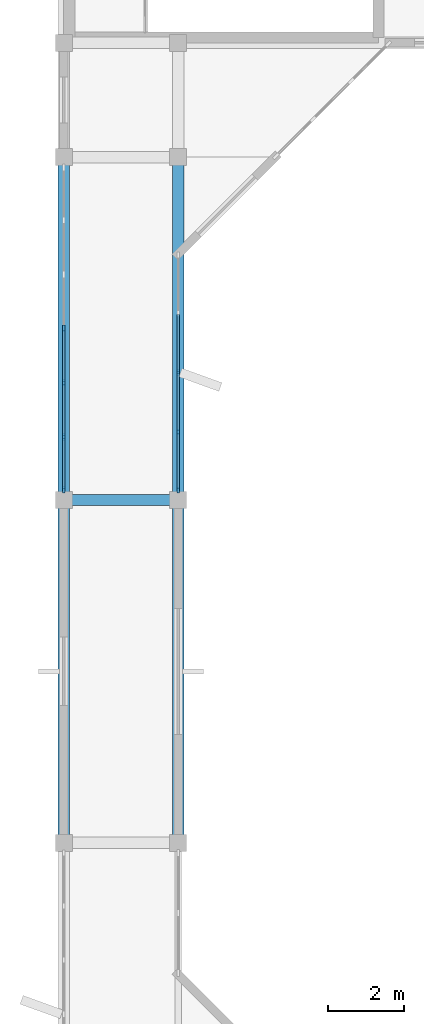
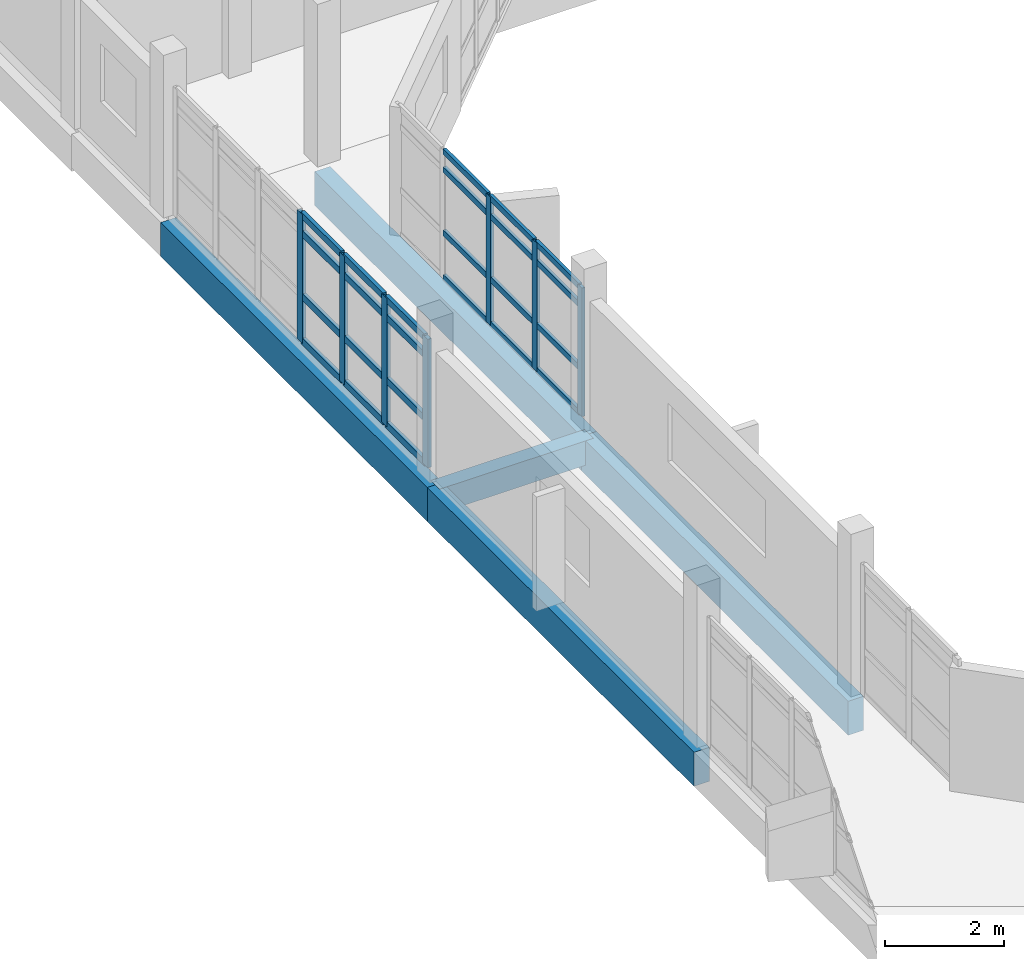
# One storey, part 4 of 33: 31 members, 5 beams, 2 elements without a shape of their own.
"""IFC4 building model written with IfcOpenShell, lengths in metres."""

from ifc_helpers import new_model, si_unit, direction, frame, origin, origin_2d, place, context, subcontext, project, spatial, rectangle, extrude, material, material_profile, profile_set, type_object, element, aggregate, save


model = new_model("IFC4")

# Units and contexts
model_context = context("Model", 3, precision=1e-05, world=origin(), true_north=direction((0.0, 1.0)))
body_context = subcontext(model_context, "Body", "Model", "MODEL_VIEW")
ifc_project = project(units=[si_unit("LENGTHUNIT", "METRE"), si_unit("AREAUNIT", "SQUARE_METRE"), si_unit("VOLUMEUNIT", "CUBIC_METRE"), si_unit("PLANEANGLEUNIT", "RADIAN"), si_unit("MASSUNIT", "GRAM", prefix="KILO")], contexts=[model_context])

# Site, building, storey
site_placement = place(None, origin())
site = spatial("IfcSite", under=ifc_project, at=site_placement, CompositionType="ELEMENT")
building_placement = place(site_placement, origin())
building = spatial("IfcBuilding", under=site, at=building_placement, Name="Vanh Quang Courtyard School", CompositionType="ELEMENT")
storey_placement = place(building_placement, frame((0.0, 0.0, 18.60009765625)))
storey = spatial("IfcBuildingStorey", under=building, at=storey_placement, Name="L05", CompositionType="ELEMENT", Elevation=18.60009765625)

# Beams
ifc_material_1 = material(Name="Concrete C35/45", Category="concrete")
ifc_material_profile_1 = material_profile(ifc_material_1, rectangle(XDim=0.300048828125, YDim=0.5, at=origin_2d()), Name="RC-BM 300x500")
ifc_profile_set_1 = profile_set([ifc_material_profile_1], Name="Concrete C35/45")
beam_type_1 = type_object("IfcBeamType", Name="BM-RC-300x500", PredefinedType="BEAM", material=ifc_profile_set_1)
beam_placement = place(storey_placement, frame((37.800048828125, 59.39990234375, -0.5), z_axis=(1.0, 0.0, 0.0), x_axis=(0.0, 1.0, 0.0)))
element("IfcBeam", 1, at=beam_placement, inside=storey, type_object=beam_type_1, Name="Beam B-08 (L05)", PredefinedType="BEAM", context=body_context, shape_type="SweptSolid", body=[
    extrude(rectangle(XDim=0.300048828125, YDim=0.5, at=origin_2d()), origin(), (0.0, 0.0, 1.0), 3.0),
])
ifc_material_profile_2 = material_profile(ifc_material_1, rectangle(XDim=0.300048828125, YDim=0.699951171875, at=origin_2d()), Name="RC-SP 300x700")
ifc_profile_set_2 = profile_set([ifc_material_profile_2], Name="Concrete C35/45")
beam_type_2 = type_object("IfcBeamType", Name="BM-SP-300x700", PredefinedType="SPANDREL", material=ifc_profile_set_2)
for number, where, z_axis, x_axis, name in (
    (2, (37.800048828125, 50.39990234375, -0.60009765625), (0.0, 1.0, 0.0), (-1.0, 0.0, 0.0), "Beam BS-01 (L05)"),
    (3, (37.800048828125, 59.39990234375, -0.60009765625), (0.0, 1.0, 0.0), (-1.0, 0.0, 0.0), "Beam BS-01 (L05)"),
    (4, (40.800048828125, 50.39990234375, -0.60009765625), (0.0, 1.0, 0.0), (-1.0, 0.0, 0.0), "Beam BS-01 (L05)"),
    (5, (40.800048828125, 59.39990234375, -0.60009765625), (0.0, 1.0, 0.0), (-1.0, 0.0, 0.0), "Beam BS-01 (L05)"),
):
    element("IfcBeam", number, at=place(storey_placement, frame(where, z_axis=z_axis, x_axis=x_axis)), inside=storey, type_object=beam_type_2, Name=name, PredefinedType="SPANDREL", context=body_context, shape_type="SweptSolid", body=[
        extrude(rectangle(XDim=0.300048828125, YDim=0.699951171875, at=origin_2d()), origin(), (0.0, 0.0, 1.0), 9.0),
    ])

# Curtain wall, members
ifc_material_2 = material(Name="Thermally broken aluminium unitised curtain wall", Category="aluminium")
curtain_wall_type_1 = type_object("IfcCurtainWallType", Name="CW-SYS-44", PredefinedType="NOTDEFINED", material=ifc_material_2)
curtain_wall_1_placement = place(storey_placement, origin())
curtain_wall_1 = element("IfcCurtainWall", 6, at=curtain_wall_1_placement, inside=storey, type_object=curtain_wall_type_1, Name="Curtain Wall CW-44 (L05)", PredefinedType="NOTDEFINED")
ifc_material_3 = material(Name="Anodised aluminium 6063-T6", Category="aluminium")
ifc_material_profile_3 = material_profile(ifc_material_3, rectangle(XDim=0.06005859375, YDim=0.159912109375, at=origin_2d()), Name="ALU-MUL 60x160")
ifc_profile_set_3 = profile_set([ifc_material_profile_3], Name="Anodised aluminium 6063-T6")
member_type_1 = type_object("IfcMemberType", Name="CW-MUL-60x160", PredefinedType="MULLION", material=ifc_profile_set_3)
member_1_placement = place(storey_placement, frame((40.800048828125, 62.744384765625, 0.0), z_axis=(0.0, 0.0, 1.0), x_axis=(1.0, 0.0, 0.0)))
member_1 = element("IfcMember", 7, at=member_1_placement, type_object=member_type_1, Name="CW-44 mullion 3", PredefinedType="MULLION", context=body_context, shape_type="SweptSolid", body=[
    extrude(rectangle(XDim=0.06005859375, YDim=0.159912109375, at=origin_2d()), origin(), (0.0, 0.0, 1.0), 2.64990234375),
])
member_2_placement = place(storey_placement, frame((40.800048828125, 61.188720703125, 0.0), z_axis=(0.0, 0.0, 1.0), x_axis=(1.0, 0.0, 0.0)))
member_2 = element("IfcMember", 8, at=member_2_placement, type_object=member_type_1, Name="CW-44 mullion 4", PredefinedType="MULLION", context=body_context, shape_type="SweptSolid", body=[
    extrude(rectangle(XDim=0.06005859375, YDim=0.159912109375, at=origin_2d()), origin(), (0.0, 0.0, 1.0), 2.64990234375),
])
member_3_placement = place(storey_placement, frame((40.800048828125, 59.6630859375, 0.0), z_axis=(0.0, 0.0, 1.0), x_axis=(1.0, 0.0, 0.0)))
member_3 = element("IfcMember", 9, at=member_3_placement, type_object=member_type_1, Name="CW-44 mullion 5", PredefinedType="MULLION", context=body_context, shape_type="SweptSolid", body=[
    extrude(rectangle(XDim=0.06005859375, YDim=0.159912109375, at=origin_2d()), origin(), (0.0, 0.0, 1.0), 2.64990234375),
])

curtain_wall_type_2 = type_object("IfcCurtainWallType", Name="CW-SYS-50", PredefinedType="NOTDEFINED", material=ifc_material_2)
curtain_wall_2_placement = place(storey_placement, origin())
curtain_wall_2 = element("IfcCurtainWall", 10, at=curtain_wall_2_placement, inside=storey, type_object=curtain_wall_type_2, Name="Curtain Wall CW-50 (L05)", PredefinedType="NOTDEFINED")
ifc_material_profile_4 = material_profile(ifc_material_3, rectangle(XDim=0.070068359375, YDim=0.179931640625, at=origin_2d()), Name="ALU-MUL 70x180")
ifc_profile_set_4 = profile_set([ifc_material_profile_4], Name="Anodised aluminium 6063-T6")
member_type_2 = type_object("IfcMemberType", Name="CW-MUL-70x180", PredefinedType="MULLION", material=ifc_profile_set_4)
member_4_placement = place(storey_placement, frame((37.800048828125, 59.66796875, 0.0), z_axis=(0.0, 0.0, 1.0), x_axis=(-1.0, 0.0, 0.0)))
member_4 = element("IfcMember", 11, at=member_4_placement, type_object=member_type_2, Name="CW-50 mullion 1", PredefinedType="MULLION", context=body_context, shape_type="SweptSolid", body=[
    extrude(rectangle(XDim=0.070068359375, YDim=0.179931640625, at=origin_2d()), origin(), (0.0, 0.0, 1.0), 2.64990234375),
])
member_5_placement = place(storey_placement, frame((37.800048828125, 61.055419921875, 0.0), z_axis=(0.0, 0.0, 1.0), x_axis=(-1.0, 0.0, 0.0)))
member_5 = element("IfcMember", 12, at=member_5_placement, type_object=member_type_2, Name="CW-50 mullion 2", PredefinedType="MULLION", context=body_context, shape_type="SweptSolid", body=[
    extrude(rectangle(XDim=0.070068359375, YDim=0.179931640625, at=origin_2d()), origin(), (0.0, 0.0, 1.0), 2.64990234375),
])
member_6_placement = place(storey_placement, frame((37.800048828125, 62.477783203125, 0.0), z_axis=(0.0, 0.0, 1.0), x_axis=(-1.0, 0.0, 0.0)))
member_6 = element("IfcMember", 13, at=member_6_placement, type_object=member_type_2, Name="CW-50 mullion 3", PredefinedType="MULLION", context=body_context, shape_type="SweptSolid", body=[
    extrude(rectangle(XDim=0.070068359375, YDim=0.179931640625, at=origin_2d()), origin(), (0.0, 0.0, 1.0), 2.64990234375),
])
member_7_placement = place(storey_placement, frame((37.800048828125, 63.89990234375, 0.0), z_axis=(0.0, 0.0, 1.0), x_axis=(-1.0, 0.0, 0.0)))
member_7 = element("IfcMember", 14, at=member_7_placement, type_object=member_type_2, Name="CW-50 mullion 4", PredefinedType="MULLION", context=body_context, shape_type="SweptSolid", body=[
    extrude(rectangle(XDim=0.070068359375, YDim=0.179931640625, at=origin_2d()), origin(), (0.0, 0.0, 1.0), 2.64990234375),
])

# Member
ifc_material_profile_5 = material_profile(ifc_material_3, rectangle(XDim=0.06005859375, YDim=0.1201171875, at=origin_2d()), Name="ALU-TRN 60x120")
ifc_profile_set_5 = profile_set([ifc_material_profile_5], Name="Anodised aluminium 6063-T6")
member_type_3 = type_object("IfcMemberType", Name="CW-TRN-60x120", PredefinedType="USERDEFINED", material=ifc_profile_set_5)
member_8_placement = place(storey_placement, frame((40.800048828125, 64.270263671875, 0.02978515625), z_axis=(0.0, -1.0, 0.0), x_axis=(1.0, 0.0, 0.0)))
member_8 = element("IfcMember", 15, at=member_8_placement, type_object=member_type_3, Name="CW-44 transom 2.1", ObjectType="TRANSOM", PredefinedType="USERDEFINED", context=body_context, shape_type="SweptSolid", body=[
    extrude(rectangle(XDim=0.06005859375, YDim=0.1201171875, at=origin_2d()), origin(), (0.0, 0.0, 1.0), 1.495849609375),
])

member_9_placement = place(storey_placement, frame((40.800048828125, 64.270263671875, 0.949951171875), z_axis=(0.0, -1.0, 0.0), x_axis=(1.0, 0.0, 0.0)))
member_9 = element("IfcMember", 16, at=member_9_placement, type_object=member_type_3, Name="CW-44 transom 2.2", ObjectType="TRANSOM", PredefinedType="USERDEFINED", context=body_context, shape_type="SweptSolid", body=[
    extrude(rectangle(XDim=0.06005859375, YDim=0.1201171875, at=origin_2d()), origin(), (0.0, 0.0, 1.0), 1.495849609375),
])

member_10_placement = place(storey_placement, frame((40.800048828125, 64.270263671875, 2.25), z_axis=(0.0, -1.0, 0.0), x_axis=(1.0, 0.0, 0.0)))
member_10 = element("IfcMember", 17, at=member_10_placement, type_object=member_type_3, Name="CW-44 transom 2.3", ObjectType="TRANSOM", PredefinedType="USERDEFINED", context=body_context, shape_type="SweptSolid", body=[
    extrude(rectangle(XDim=0.06005859375, YDim=0.1201171875, at=origin_2d()), origin(), (0.0, 0.0, 1.0), 1.495849609375),
])

member_11_placement = place(storey_placement, frame((40.800048828125, 64.270263671875, 2.619873046875), z_axis=(0.0, -1.0, 0.0), x_axis=(1.0, 0.0, 0.0)))
member_11 = element("IfcMember", 18, at=member_11_placement, type_object=member_type_3, Name="CW-44 transom 2.4", ObjectType="TRANSOM", PredefinedType="USERDEFINED", context=body_context, shape_type="SweptSolid", body=[
    extrude(rectangle(XDim=0.06005859375, YDim=0.1201171875, at=origin_2d()), origin(), (0.0, 0.0, 1.0), 1.495849609375),
])

member_12_placement = place(storey_placement, frame((40.800048828125, 62.714599609375, 0.02978515625), z_axis=(0.0, -1.0, 0.0), x_axis=(1.0, 0.0, 0.0)))
member_12 = element("IfcMember", 19, at=member_12_placement, type_object=member_type_3, Name="CW-44 transom 3.1", ObjectType="TRANSOM", PredefinedType="USERDEFINED", context=body_context, shape_type="SweptSolid", body=[
    extrude(rectangle(XDim=0.06005859375, YDim=0.1201171875, at=origin_2d()), origin(), (0.0, 0.0, 1.0), 1.495849609375),
])

member_13_placement = place(storey_placement, frame((40.800048828125, 62.714599609375, 0.949951171875), z_axis=(0.0, -1.0, 0.0), x_axis=(1.0, 0.0, 0.0)))
member_13 = element("IfcMember", 20, at=member_13_placement, type_object=member_type_3, Name="CW-44 transom 3.2", ObjectType="TRANSOM", PredefinedType="USERDEFINED", context=body_context, shape_type="SweptSolid", body=[
    extrude(rectangle(XDim=0.06005859375, YDim=0.1201171875, at=origin_2d()), origin(), (0.0, 0.0, 1.0), 1.495849609375),
])

member_14_placement = place(storey_placement, frame((40.800048828125, 62.714599609375, 2.25), z_axis=(0.0, -1.0, 0.0), x_axis=(1.0, 0.0, 0.0)))
member_14 = element("IfcMember", 21, at=member_14_placement, type_object=member_type_3, Name="CW-44 transom 3.3", ObjectType="TRANSOM", PredefinedType="USERDEFINED", context=body_context, shape_type="SweptSolid", body=[
    extrude(rectangle(XDim=0.06005859375, YDim=0.1201171875, at=origin_2d()), origin(), (0.0, 0.0, 1.0), 1.495849609375),
])

member_15_placement = place(storey_placement, frame((40.800048828125, 62.714599609375, 2.619873046875), z_axis=(0.0, -1.0, 0.0), x_axis=(1.0, 0.0, 0.0)))
member_15 = element("IfcMember", 22, at=member_15_placement, type_object=member_type_3, Name="CW-44 transom 3.4", ObjectType="TRANSOM", PredefinedType="USERDEFINED", context=body_context, shape_type="SweptSolid", body=[
    extrude(rectangle(XDim=0.06005859375, YDim=0.1201171875, at=origin_2d()), origin(), (0.0, 0.0, 1.0), 1.495849609375),
])

member_16_placement = place(storey_placement, frame((40.800048828125, 61.15869140625, 0.02978515625), z_axis=(0.0, -1.0, 0.0), x_axis=(1.0, 0.0, 0.0)))
member_16 = element("IfcMember", 23, at=member_16_placement, type_object=member_type_3, Name="CW-44 transom 4.1", ObjectType="TRANSOM", PredefinedType="USERDEFINED", context=body_context, shape_type="SweptSolid", body=[
    extrude(rectangle(XDim=0.06005859375, YDim=0.1201171875, at=origin_2d()), origin(), (0.0, 0.0, 1.0), 1.465576171875),
])

member_17_placement = place(storey_placement, frame((40.800048828125, 61.15869140625, 0.949951171875), z_axis=(0.0, -1.0, 0.0), x_axis=(1.0, 0.0, 0.0)))
member_17 = element("IfcMember", 24, at=member_17_placement, type_object=member_type_3, Name="CW-44 transom 4.2", ObjectType="TRANSOM", PredefinedType="USERDEFINED", context=body_context, shape_type="SweptSolid", body=[
    extrude(rectangle(XDim=0.06005859375, YDim=0.1201171875, at=origin_2d()), origin(), (0.0, 0.0, 1.0), 1.465576171875),
])

member_18_placement = place(storey_placement, frame((40.800048828125, 61.15869140625, 2.25), z_axis=(0.0, -1.0, 0.0), x_axis=(1.0, 0.0, 0.0)))
member_18 = element("IfcMember", 25, at=member_18_placement, type_object=member_type_3, Name="CW-44 transom 4.3", ObjectType="TRANSOM", PredefinedType="USERDEFINED", context=body_context, shape_type="SweptSolid", body=[
    extrude(rectangle(XDim=0.06005859375, YDim=0.1201171875, at=origin_2d()), origin(), (0.0, 0.0, 1.0), 1.465576171875),
])

member_19_placement = place(storey_placement, frame((40.800048828125, 61.15869140625, 2.619873046875), z_axis=(0.0, -1.0, 0.0), x_axis=(1.0, 0.0, 0.0)))
member_19 = element("IfcMember", 26, at=member_19_placement, type_object=member_type_3, Name="CW-44 transom 4.4", ObjectType="TRANSOM", PredefinedType="USERDEFINED", context=body_context, shape_type="SweptSolid", body=[
    extrude(rectangle(XDim=0.06005859375, YDim=0.1201171875, at=origin_2d()), origin(), (0.0, 0.0, 1.0), 1.465576171875),
])

aggregate(curtain_wall_1, [member_1, member_2, member_3, member_8, member_9, member_10, member_11, member_12, member_13, member_14, member_15, member_16, member_17, member_18, member_19])

ifc_material_profile_6 = material_profile(ifc_material_3, rectangle(XDim=0.070068359375, YDim=0.139892578125, at=origin_2d()), Name="ALU-TRN 70x140")
ifc_profile_set_6 = profile_set([ifc_material_profile_6], Name="Anodised aluminium 6063-T6")
member_type_4 = type_object("IfcMemberType", Name="CW-TRN-70x140", PredefinedType="USERDEFINED", material=ifc_profile_set_6)
member_20_placement = place(storey_placement, frame((37.800048828125, 59.702880859375, 0.034912109375), z_axis=(0.0, 1.0, 0.0), x_axis=(-1.0, 0.0, 0.0)))
member_20 = element("IfcMember", 27, at=member_20_placement, type_object=member_type_4, Name="CW-50 transom 1.1", ObjectType="TRANSOM", PredefinedType="USERDEFINED", context=body_context, shape_type="SweptSolid", body=[
    extrude(rectangle(XDim=0.070068359375, YDim=0.139892578125, at=origin_2d()), origin(), (0.0, 0.0, 1.0), 1.3173828125),
])

member_21_placement = place(storey_placement, frame((37.800048828125, 59.702880859375, 0.949951171875), z_axis=(0.0, 1.0, 0.0), x_axis=(-1.0, 0.0, 0.0)))
member_21 = element("IfcMember", 28, at=member_21_placement, type_object=member_type_4, Name="CW-50 transom 1.2", ObjectType="TRANSOM", PredefinedType="USERDEFINED", context=body_context, shape_type="SweptSolid", body=[
    extrude(rectangle(XDim=0.070068359375, YDim=0.139892578125, at=origin_2d()), origin(), (0.0, 0.0, 1.0), 1.3173828125),
])

member_22_placement = place(storey_placement, frame((37.800048828125, 59.702880859375, 2.25), z_axis=(0.0, 1.0, 0.0), x_axis=(-1.0, 0.0, 0.0)))
member_22 = element("IfcMember", 29, at=member_22_placement, type_object=member_type_4, Name="CW-50 transom 1.3", ObjectType="TRANSOM", PredefinedType="USERDEFINED", context=body_context, shape_type="SweptSolid", body=[
    extrude(rectangle(XDim=0.070068359375, YDim=0.139892578125, at=origin_2d()), origin(), (0.0, 0.0, 1.0), 1.3173828125),
])

member_23_placement = place(storey_placement, frame((37.800048828125, 59.702880859375, 2.614990234375), z_axis=(0.0, 1.0, 0.0), x_axis=(-1.0, 0.0, 0.0)))
member_23 = element("IfcMember", 30, at=member_23_placement, type_object=member_type_4, Name="CW-50 transom 1.4", ObjectType="TRANSOM", PredefinedType="USERDEFINED", context=body_context, shape_type="SweptSolid", body=[
    extrude(rectangle(XDim=0.070068359375, YDim=0.139892578125, at=origin_2d()), origin(), (0.0, 0.0, 1.0), 1.3173828125),
])

member_24_placement = place(storey_placement, frame((37.800048828125, 61.09033203125, 0.034912109375), z_axis=(0.0, 1.0, 0.0), x_axis=(-1.0, 0.0, 0.0)))
member_24 = element("IfcMember", 31, at=member_24_placement, type_object=member_type_4, Name="CW-50 transom 2.1", ObjectType="TRANSOM", PredefinedType="USERDEFINED", context=body_context, shape_type="SweptSolid", body=[
    extrude(rectangle(XDim=0.070068359375, YDim=0.139892578125, at=origin_2d()), origin(), (0.0, 0.0, 1.0), 1.352294921875),
])

member_25_placement = place(storey_placement, frame((37.800048828125, 61.09033203125, 0.949951171875), z_axis=(0.0, 1.0, 0.0), x_axis=(-1.0, 0.0, 0.0)))
member_25 = element("IfcMember", 32, at=member_25_placement, type_object=member_type_4, Name="CW-50 transom 2.2", ObjectType="TRANSOM", PredefinedType="USERDEFINED", context=body_context, shape_type="SweptSolid", body=[
    extrude(rectangle(XDim=0.070068359375, YDim=0.139892578125, at=origin_2d()), origin(), (0.0, 0.0, 1.0), 1.352294921875),
])

member_26_placement = place(storey_placement, frame((37.800048828125, 61.09033203125, 2.25), z_axis=(0.0, 1.0, 0.0), x_axis=(-1.0, 0.0, 0.0)))
member_26 = element("IfcMember", 33, at=member_26_placement, type_object=member_type_4, Name="CW-50 transom 2.3", ObjectType="TRANSOM", PredefinedType="USERDEFINED", context=body_context, shape_type="SweptSolid", body=[
    extrude(rectangle(XDim=0.070068359375, YDim=0.139892578125, at=origin_2d()), origin(), (0.0, 0.0, 1.0), 1.352294921875),
])

member_27_placement = place(storey_placement, frame((37.800048828125, 61.09033203125, 2.614990234375), z_axis=(0.0, 1.0, 0.0), x_axis=(-1.0, 0.0, 0.0)))
member_27 = element("IfcMember", 34, at=member_27_placement, type_object=member_type_4, Name="CW-50 transom 2.4", ObjectType="TRANSOM", PredefinedType="USERDEFINED", context=body_context, shape_type="SweptSolid", body=[
    extrude(rectangle(XDim=0.070068359375, YDim=0.139892578125, at=origin_2d()), origin(), (0.0, 0.0, 1.0), 1.352294921875),
])

member_28_placement = place(storey_placement, frame((37.800048828125, 62.5126953125, 0.034912109375), z_axis=(0.0, 1.0, 0.0), x_axis=(-1.0, 0.0, 0.0)))
member_28 = element("IfcMember", 35, at=member_28_placement, type_object=member_type_4, Name="CW-50 transom 3.1", ObjectType="TRANSOM", PredefinedType="USERDEFINED", context=body_context, shape_type="SweptSolid", body=[
    extrude(rectangle(XDim=0.070068359375, YDim=0.139892578125, at=origin_2d()), origin(), (0.0, 0.0, 1.0), 1.352294921875),
])

member_29_placement = place(storey_placement, frame((37.800048828125, 62.5126953125, 0.949951171875), z_axis=(0.0, 1.0, 0.0), x_axis=(-1.0, 0.0, 0.0)))
member_29 = element("IfcMember", 36, at=member_29_placement, type_object=member_type_4, Name="CW-50 transom 3.2", ObjectType="TRANSOM", PredefinedType="USERDEFINED", context=body_context, shape_type="SweptSolid", body=[
    extrude(rectangle(XDim=0.070068359375, YDim=0.139892578125, at=origin_2d()), origin(), (0.0, 0.0, 1.0), 1.352294921875),
])

member_30_placement = place(storey_placement, frame((37.800048828125, 62.5126953125, 2.25), z_axis=(0.0, 1.0, 0.0), x_axis=(-1.0, 0.0, 0.0)))
member_30 = element("IfcMember", 37, at=member_30_placement, type_object=member_type_4, Name="CW-50 transom 3.3", ObjectType="TRANSOM", PredefinedType="USERDEFINED", context=body_context, shape_type="SweptSolid", body=[
    extrude(rectangle(XDim=0.070068359375, YDim=0.139892578125, at=origin_2d()), origin(), (0.0, 0.0, 1.0), 1.352294921875),
])

member_31_placement = place(storey_placement, frame((37.800048828125, 62.5126953125, 2.614990234375), z_axis=(0.0, 1.0, 0.0), x_axis=(-1.0, 0.0, 0.0)))
member_31 = element("IfcMember", 38, at=member_31_placement, type_object=member_type_4, Name="CW-50 transom 3.4", ObjectType="TRANSOM", PredefinedType="USERDEFINED", context=body_context, shape_type="SweptSolid", body=[
    extrude(rectangle(XDim=0.070068359375, YDim=0.139892578125, at=origin_2d()), origin(), (0.0, 0.0, 1.0), 1.352294921875),
])

aggregate(curtain_wall_2, [member_4, member_5, member_6, member_7, member_20, member_21, member_22, member_23, member_24, member_25, member_26, member_27, member_28, member_29, member_30, member_31])

save(model, "model.ifc")
